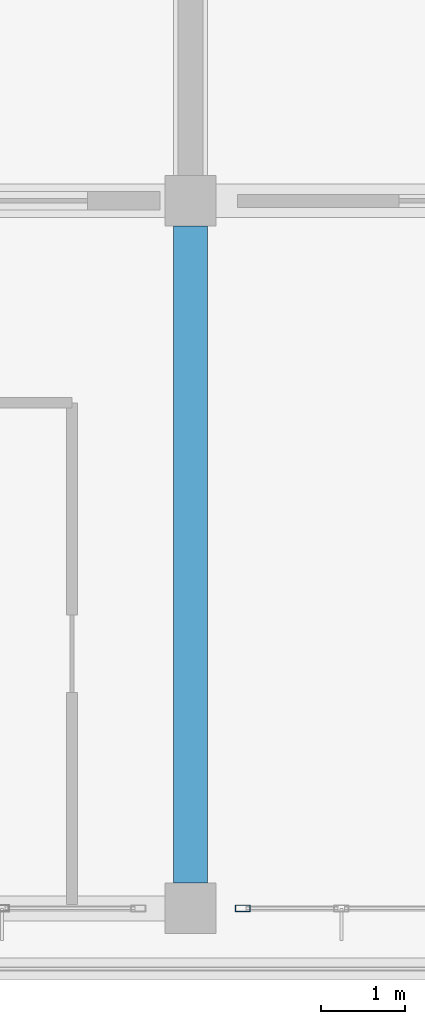
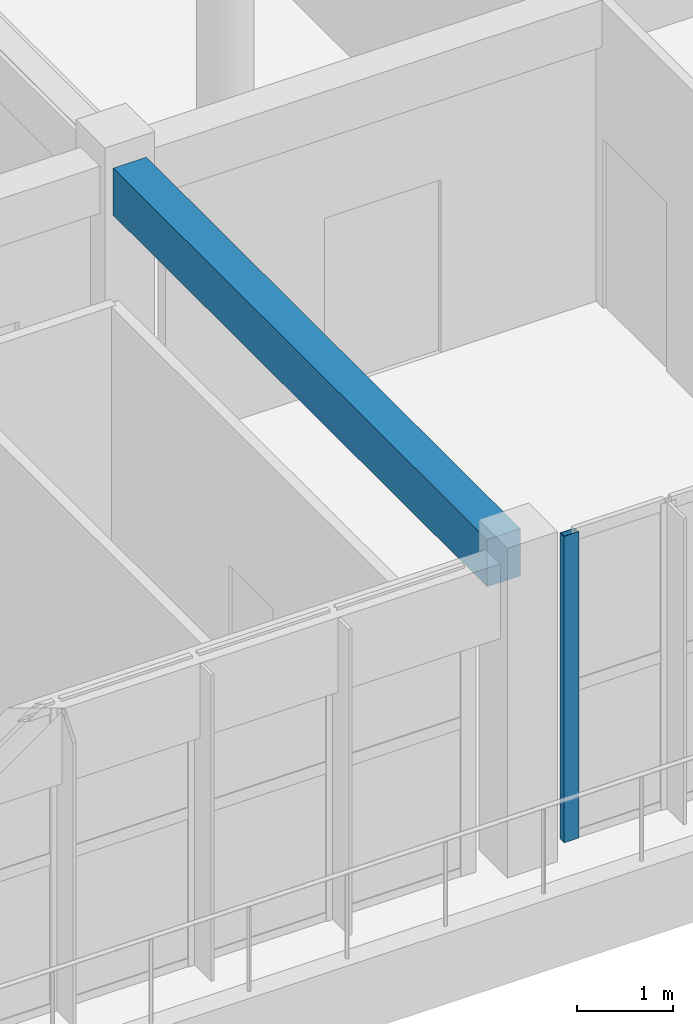
# One storey, part 21 of 50: 1 beam, 1 member, 1 element without a shape of its own.
"""IFC4 building model written with IfcOpenShell, lengths in metres."""

from ifc_helpers import new_model, si_unit, direction, frame, origin, origin_2d, place, context, subcontext, project, spatial, rectangle, hollow_rectangle, extrude, material, layer, layer_set, material_profile, profile_set, type_object, element, aggregate, save


model = new_model("IFC4")

# Units and contexts
model_context = context("Model", 3, precision=1e-05, world=origin(), true_north=direction((0.0, 1.0)))
body_context = subcontext(model_context, "Body", "Model", "MODEL_VIEW")
ifc_project = project(units=[si_unit("LENGTHUNIT", "METRE"), si_unit("AREAUNIT", "SQUARE_METRE"), si_unit("VOLUMEUNIT", "CUBIC_METRE"), si_unit("PLANEANGLEUNIT", "RADIAN"), si_unit("MASSUNIT", "GRAM", prefix="KILO")], contexts=[model_context])

# Site, building, storey
site_placement = place(None, origin())
site = spatial("IfcSite", under=ifc_project, at=site_placement, CompositionType="ELEMENT")
building_placement = place(site_placement, origin())
building = spatial("IfcBuilding", under=site, at=building_placement, Name="Zizhar Promenade General Hospital", CompositionType="ELEMENT")
storey_placement = place(building_placement, frame((0.0, 0.0, 30.60009765625)))
storey = spatial("IfcBuildingStorey", under=building, at=storey_placement, Name="L07", CompositionType="ELEMENT", Elevation=30.60009765625)

# Beam
ifc_material_1 = material(Name="Concrete C35/45", Category="concrete")
ifc_material_profile_1 = material_profile(ifc_material_1, rectangle(XDim=0.39990234375, YDim=0.60009765625, at=origin_2d()))
ifc_profile_set_1 = profile_set([ifc_material_profile_1], Name="Concrete C35/45")
beam_type = type_object("IfcBeamType", Name="BM-RC-400x600", PredefinedType="JOIST", material=ifc_profile_set_1)
beam_placement = place(storey_placement, frame((101.39990234375, 0.300048828125, 3.60986328125), z_axis=(0.0, 1.0, 0.0), x_axis=(-1.0, 0.0, 0.0)))
element("IfcBeam", 1, at=beam_placement, inside=storey, type_object=beam_type, Name="Grid Beam Y L07 (13-0)", PredefinedType="JOIST", context=body_context, shape_type="SweptSolid", body=[
    extrude(rectangle(XDim=0.39990234375, YDim=0.60009765625, at=origin_2d()), origin(), (0.0, 0.0, 1.0), 7.800048828125),
])

# Curtain wall, member
ifc_material_2 = material(Name="Anodised aluminium 6063-T6 and low-E glass", Category="aluminium")
ifc_layer = layer(ifc_material_2, 0.159912109375)
ifc_layer_set = layer_set([ifc_layer], Name="Anodised aluminium 6063-T6 and low-E glass")
curtain_wall_type = type_object("IfcCurtainWallType", Name="CW-WARD-RIB", PredefinedType="NOTDEFINED", material=ifc_layer_set)
curtain_wall_placement = place(storey_placement, origin())
curtain_wall = element("IfcCurtainWall", 2, at=curtain_wall_placement, inside=storey, type_object=curtain_wall_type, Name="Ward Ribbon Curtain Wall L07-17-0", PredefinedType="NOTDEFINED")
ifc_material_3 = material(Name="Anodised aluminium 6063-T6", Category="aluminium")
ifc_material_profile_2 = material_profile(ifc_material_3, hollow_rectangle(XDim=0.080078125, YDim=0.179931640625, WallThickness=0.0048828125, at=origin_2d()))
ifc_profile_set_2 = profile_set([ifc_material_profile_2], Name="Anodised aluminium 6063-T6")
member_type = type_object("IfcMemberType", Name="CWM-ALU-180x80", PredefinedType="MULLION", material=ifc_profile_set_2)
member_placement = place(storey_placement, frame((102.02001953125, 0.0, 0.0), z_axis=(0.0, 0.0, 1.0), x_axis=(0.0, -1.0, 0.0)))
member = element("IfcMember", 3, at=member_placement, type_object=member_type, Name="CW-13 mullion 5", PredefinedType="MULLION", context=body_context, shape_type="SweptSolid", body=[
    extrude(hollow_rectangle(XDim=0.080078125, YDim=0.179931640625, WallThickness=0.0048828125, at=origin_2d()), origin(), (0.0, 0.0, 1.0), 3.89990234375),
])
aggregate(curtain_wall, [member])

save(model, "model.ifc")
